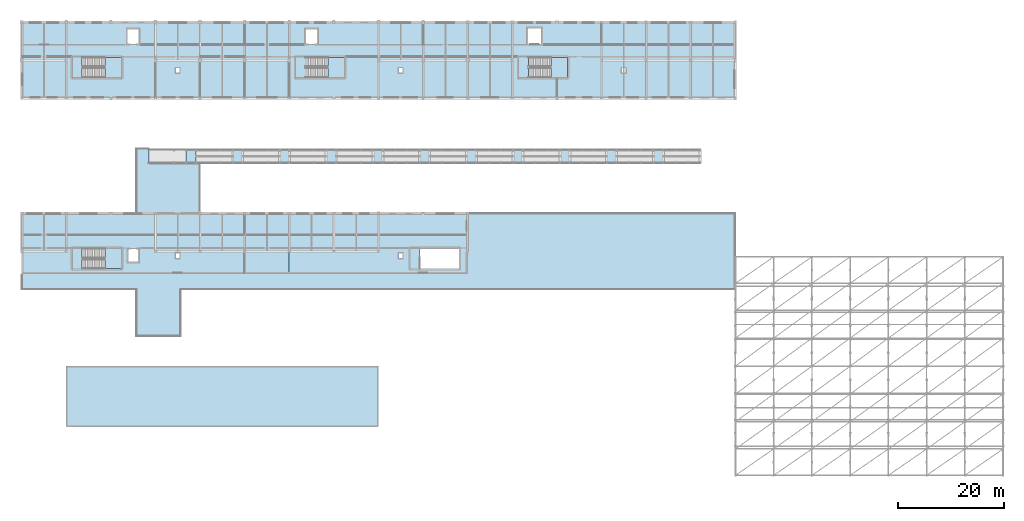
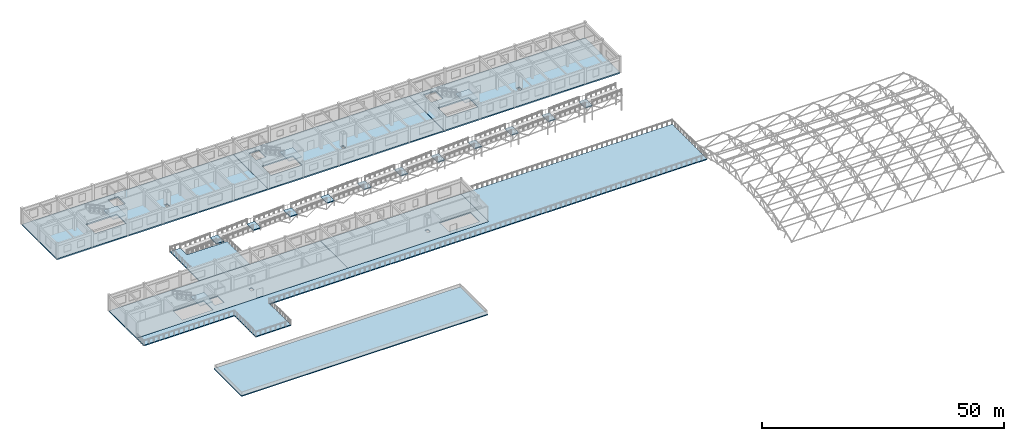
# One storey, part 24 of 41: 23 slabs, 5 elements without a shape of their own.
"""IFC4 building model written with IfcOpenShell, lengths in metres."""

from ifc_helpers import new_model, si_unit, direction, frame, origin, place, context, subcontext, project, spatial, polyline, outline, extrude, material, layer, layer_set, type_object, element, aggregate, save


model = new_model("IFC4")

# Units and contexts
model_context = context("Model", 3, precision=1e-05, world=origin(), true_north=direction((0.0, 1.0)))
body_context = subcontext(model_context, "Body", "Model", "MODEL_VIEW")
ifc_project = project(units=[si_unit("LENGTHUNIT", "METRE"), si_unit("AREAUNIT", "SQUARE_METRE"), si_unit("VOLUMEUNIT", "CUBIC_METRE"), si_unit("PLANEANGLEUNIT", "RADIAN"), si_unit("MASSUNIT", "GRAM", prefix="KILO")], contexts=[model_context])

# Site, building, storey
site_placement = place(None, origin())
site = spatial("IfcSite", under=ifc_project, at=site_placement, CompositionType="ELEMENT")
building_placement = place(site_placement, origin())
building = spatial("IfcBuilding", under=site, at=building_placement, Name="Malvenik Polytechnic", CompositionType="ELEMENT")
storey_placement = place(building_placement, frame((0.0, 0.0, 17.699951171875)))
storey = spatial("IfcBuildingStorey", under=building, at=storey_placement, Name="L04", CompositionType="ELEMENT", Elevation=17.699951171875)

# Ramp, slabs
ifc_material_1 = material(Name="Concrete C35/45", Category="concrete")
ramp_type = type_object("IfcRampType", Name="ARC-RMP-PED", PredefinedType="STRAIGHT_RUN_RAMP", material=ifc_material_1)
ramp_placement = place(storey_placement, origin())
ramp = element("IfcRamp", 1, at=ramp_placement, inside=storey, type_object=ramp_type, Name="Accessible Pedestrian Ramp RB-03", PredefinedType="STRAIGHT_RUN_RAMP")
ifc_layer_1 = layer(ifc_material_1, 0.219970703125)
ifc_layer_set_1 = layer_set([ifc_layer_1], Name="Concrete C35/45")
slab_type_1 = type_object("IfcSlabType", Name="ARC-SLB-RLND", PredefinedType="LANDING", material=ifc_layer_set_1)
slab_1_placement = place(storey_placement, frame((0.0, 0.0, 0.130126953125)))
slab_1 = element("IfcSlab", 2, at=slab_1_placement, type_object=slab_type_1, Name="Ramp Intermediate Landing RB-03 #1", PredefinedType="LANDING", context=body_context, shape_type="SweptSolid", body=[
    extrude(outline(polyline([(31.0, 103.0), (32.800048828125, 103.0), (32.800048828125, 105.60009765625), (31.0, 105.60009765625), (31.0, 103.0)])), origin(), (0.0, 0.0, 1.0), 0.219970703125),
])
slab_2_placement = place(storey_placement, frame((0.0, 0.0, 0.47998046875)))
slab_2 = element("IfcSlab", 3, at=slab_2_placement, type_object=slab_type_1, Name="Ramp Intermediate Landing RB-03 #2", PredefinedType="LANDING", context=body_context, shape_type="SweptSolid", body=[
    extrude(outline(polyline([(39.800048828125, 103.0), (41.60009765625, 103.0), (41.60009765625, 105.60009765625), (39.800048828125, 105.60009765625), (39.800048828125, 103.0)])), origin(), (0.0, 0.0, 1.0), 0.219970703125),
])
slab_3_placement = place(storey_placement, frame((0.0, 0.0, 0.830078125)))
slab_3 = element("IfcSlab", 4, at=slab_3_placement, type_object=slab_type_1, Name="Ramp Intermediate Landing RB-03 #3", PredefinedType="LANDING", context=body_context, shape_type="SweptSolid", body=[
    extrude(outline(polyline([(48.60009765625, 103.0), (50.39990234375, 103.0), (50.39990234375, 105.60009765625), (48.60009765625, 105.60009765625), (48.60009765625, 103.0)])), origin(), (0.0, 0.0, 1.0), 0.219970703125),
])
slab_4_placement = place(storey_placement, frame((0.0, 0.0, 1.179931640625)))
slab_4 = element("IfcSlab", 5, at=slab_4_placement, type_object=slab_type_1, Name="Ramp Intermediate Landing RB-03 #4", PredefinedType="LANDING", context=body_context, shape_type="SweptSolid", body=[
    extrude(outline(polyline([(57.39990234375, 103.0), (59.199951171875, 103.0), (59.199951171875, 105.60009765625), (57.39990234375, 105.60009765625), (57.39990234375, 103.0)])), origin(), (0.0, 0.0, 1.0), 0.22021484375),
])
slab_5_placement = place(storey_placement, frame((0.0, 0.0, 1.530029296875)))
slab_5 = element("IfcSlab", 6, at=slab_5_placement, type_object=slab_type_1, Name="Ramp Intermediate Landing RB-03 #5", PredefinedType="LANDING", context=body_context, shape_type="SweptSolid", body=[
    extrude(outline(polyline([(66.199951171875, 103.0), (68.0, 103.0), (68.0, 105.60009765625), (66.199951171875, 105.60009765625), (66.199951171875, 103.0)])), origin(), (0.0, 0.0, 1.0), 0.219970703125),
])
slab_6_placement = place(storey_placement, frame((0.0, 0.0, 1.880126953125)))
slab_6 = element("IfcSlab", 7, at=slab_6_placement, type_object=slab_type_1, Name="Ramp Intermediate Landing RB-03 #6", PredefinedType="LANDING", context=body_context, shape_type="SweptSolid", body=[
    extrude(outline(polyline([(75.0, 103.0), (76.800048828125, 103.0), (76.800048828125, 105.60009765625), (75.0, 105.60009765625), (75.0, 103.0)])), origin(), (0.0, 0.0, 1.0), 0.219970703125),
])
slab_7_placement = place(storey_placement, frame((0.0, 0.0, 2.22998046875)))
slab_7 = element("IfcSlab", 8, at=slab_7_placement, type_object=slab_type_1, Name="Ramp Intermediate Landing RB-03 #7", PredefinedType="LANDING", context=body_context, shape_type="SweptSolid", body=[
    extrude(outline(polyline([(83.800048828125, 103.0), (85.60009765625, 103.0), (85.60009765625, 105.60009765625), (83.800048828125, 105.60009765625), (83.800048828125, 103.0)])), origin(), (0.0, 0.0, 1.0), 0.219970703125),
])
slab_8_placement = place(storey_placement, frame((0.0, 0.0, 2.580078125)))
slab_8 = element("IfcSlab", 9, at=slab_8_placement, type_object=slab_type_1, Name="Ramp Intermediate Landing RB-03 #8", PredefinedType="LANDING", context=body_context, shape_type="SweptSolid", body=[
    extrude(outline(polyline([(92.60009765625, 103.0), (94.39990234375, 103.0), (94.39990234375, 105.60009765625), (92.60009765625, 105.60009765625), (92.60009765625, 103.0)])), origin(), (0.0, 0.0, 1.0), 0.219970703125),
])
slab_9_placement = place(storey_placement, frame((0.0, 0.0, 2.929931640625)))
slab_9 = element("IfcSlab", 10, at=slab_9_placement, type_object=slab_type_1, Name="Ramp Intermediate Landing RB-03 #9", PredefinedType="LANDING", context=body_context, shape_type="SweptSolid", body=[
    extrude(outline(polyline([(101.39990234375, 103.0), (103.199951171875, 103.0), (103.199951171875, 105.60009765625), (101.39990234375, 105.60009765625), (101.39990234375, 103.0)])), origin(), (0.0, 0.0, 1.0), 0.22021484375),
])
slab_10_placement = place(storey_placement, frame((0.0, 0.0, 3.280029296875)))
slab_10 = element("IfcSlab", 11, at=slab_10_placement, type_object=slab_type_1, Name="Ramp Intermediate Landing RB-03 #10", PredefinedType="LANDING", context=body_context, shape_type="SweptSolid", body=[
    extrude(outline(polyline([(110.199951171875, 103.0), (112.0, 103.0), (112.0, 105.60009765625), (110.199951171875, 105.60009765625), (110.199951171875, 103.0)])), origin(), (0.0, 0.0, 1.0), 0.219970703125),
])
slab_11_placement = place(storey_placement, frame((0.0, 0.0, 3.630126953125)))
slab_11 = element("IfcSlab", 12, at=slab_11_placement, type_object=slab_type_1, Name="Ramp Intermediate Landing RB-03 #11", PredefinedType="LANDING", context=body_context, shape_type="SweptSolid", body=[
    extrude(outline(polyline([(119.0, 103.0), (120.800048828125, 103.0), (120.800048828125, 105.60009765625), (119.0, 105.60009765625), (119.0, 103.0)])), origin(), (0.0, 0.0, 1.0), 0.219970703125),
])
aggregate(ramp, [slab_1, slab_2, slab_3, slab_4, slab_5, slab_6, slab_7, slab_8, slab_9, slab_10, slab_11])

# Stair, slab
stair_type_1 = type_object("IfcStairType", Name="ARC-STR-ST-01", PredefinedType="HALF_TURN_STAIR", material=ifc_material_1)
stair_1_placement = place(storey_placement, origin())
stair_1 = element("IfcStair", 13, at=stair_1_placement, inside=storey, type_object=stair_type_1, Name="L04 Escape Stair ST-01", PredefinedType="HALF_TURN_STAIR")
ifc_layer_2 = layer(ifc_material_1, 0.199951171875)
ifc_layer_set_2 = layer_set([ifc_layer_2], Name="Concrete C35/45")
slab_type_2 = type_object("IfcSlabType", Name="ARC-SLB-STLND", PredefinedType="LANDING", material=ifc_layer_set_2)
slab_12_placement = place(storey_placement, frame((0.0, 0.0, 1.900146484375)))
slab_12 = element("IfcSlab", 14, at=slab_12_placement, type_object=slab_type_2, Name="ST-01 landing 1", PredefinedType="LANDING", context=body_context, shape_type="SweptSolid", body=[
    extrude(outline(polyline([(15.68994140625, 119.14990234375), (18.800048828125, 119.14990234375), (18.800048828125, 122.949951171875), (15.68994140625, 122.949951171875), (15.68994140625, 119.14990234375)])), origin(), (0.0, 0.0, 1.0), 0.199951171875),
])
aggregate(stair_1, [slab_12])

stair_type_2 = type_object("IfcStairType", Name="ARC-STR-ST-02", PredefinedType="HALF_TURN_STAIR", material=ifc_material_1)
stair_2_placement = place(storey_placement, origin())
stair_2 = element("IfcStair", 15, at=stair_2_placement, inside=storey, type_object=stair_type_2, Name="L04 Escape Stair ST-02", PredefinedType="HALF_TURN_STAIR")
slab_13_placement = place(storey_placement, frame((0.0, 0.0, 1.900146484375)))
slab_13 = element("IfcSlab", 16, at=slab_13_placement, type_object=slab_type_2, Name="ST-02 landing 1", PredefinedType="LANDING", context=body_context, shape_type="SweptSolid", body=[
    extrude(outline(polyline([(57.68994140625, 119.14990234375), (60.800048828125, 119.14990234375), (60.800048828125, 122.949951171875), (57.68994140625, 122.949951171875), (57.68994140625, 119.14990234375)])), origin(), (0.0, 0.0, 1.0), 0.199951171875),
])
aggregate(stair_2, [slab_13])

stair_type_3 = type_object("IfcStairType", Name="ARC-STR-ST-03", PredefinedType="HALF_TURN_STAIR", material=ifc_material_1)
stair_3_placement = place(storey_placement, origin())
stair_3 = element("IfcStair", 17, at=stair_3_placement, inside=storey, type_object=stair_type_3, Name="L04 Escape Stair ST-03", PredefinedType="HALF_TURN_STAIR")
slab_14_placement = place(storey_placement, frame((0.0, 0.0, 1.900146484375)))
slab_14 = element("IfcSlab", 18, at=slab_14_placement, type_object=slab_type_2, Name="ST-03 landing 1", PredefinedType="LANDING", context=body_context, shape_type="SweptSolid", body=[
    extrude(outline(polyline([(99.68994140625, 119.14990234375), (102.800048828125, 119.14990234375), (102.800048828125, 122.949951171875), (99.68994140625, 122.949951171875), (99.68994140625, 119.14990234375)])), origin(), (0.0, 0.0, 1.0), 0.199951171875),
])
aggregate(stair_3, [slab_14])

stair_type_4 = type_object("IfcStairType", Name="ARC-STR-ST-04", PredefinedType="HALF_TURN_STAIR", material=ifc_material_1)
stair_4_placement = place(storey_placement, origin())
stair_4 = element("IfcStair", 19, at=stair_4_placement, inside=storey, type_object=stair_type_4, Name="L04 Escape Stair ST-04", PredefinedType="HALF_TURN_STAIR")
slab_15_placement = place(storey_placement, frame((0.0, 0.0, 1.900146484375)))
slab_15 = element("IfcSlab", 20, at=slab_15_placement, type_object=slab_type_2, Name="ST-04 landing 1", PredefinedType="LANDING", context=body_context, shape_type="SweptSolid", body=[
    extrude(outline(polyline([(15.68994140625, 83.14990234375), (18.800048828125, 83.14990234375), (18.800048828125, 86.949951171875), (15.68994140625, 86.949951171875), (15.68994140625, 83.14990234375)])), origin(), (0.0, 0.0, 1.0), 0.199951171875),
])
aggregate(stair_4, [slab_15])

# Slabs
ifc_layer_3 = layer(ifc_material_1, 0.260009765625)
ifc_layer_set_3 = layer_set([ifc_layer_3], Name="Concrete C35/45")
slab_type_3 = type_object("IfcSlabType", Name="STR-SLB-FLR-260", PredefinedType="FLOOR", material=ifc_layer_set_3)
slab_16_placement = place(storey_placement, frame((0.0, 0.0, -0.260009765625)))
element("IfcSlab", 21, at=slab_16_placement, inside=storey, type_object=slab_type_3, Name="Structural Slab L04-V2-W #93", PredefinedType="FLOOR", context=body_context, shape_type="SweptSolid", body=[
    extrude(outline(polyline([(50.3798828125, 93.60009765625), (50.3798828125, 82.199951171875), (0.0, 82.199951171875), (0.0, 93.60009765625), (50.3798828125, 93.60009765625)]), holes=[polyline([(11.41796875, 86.949951171875), (11.41796875, 83.14990234375), (18.800048828125, 83.14990234375), (18.800048828125, 86.949951171875), (11.41796875, 86.949951171875)]), polyline([(29.0, 86.050048828125), (29.0, 85.10009765625), (29.75, 85.10009765625), (29.75, 86.050048828125), (29.0, 86.050048828125)]), polyline([(19.89990234375, 86.949951171875), (19.89990234375, 84.35009765625), (22.10009765625, 84.35009765625), (22.10009765625, 86.949951171875), (19.89990234375, 86.949951171875)])]), origin(), (0.0, 0.0, 1.0), 0.260009765625),
])
slab_17_placement = place(storey_placement, frame((0.0, 0.0, -0.260009765625)))
element("IfcSlab", 22, at=slab_17_placement, inside=storey, type_object=slab_type_3, Name="Structural Slab L04-V2-W #94", PredefinedType="FLOOR", context=body_context, shape_type="SweptSolid", body=[
    extrude(outline(polyline([(84.0, 93.60009765625), (84.0, 82.199951171875), (50.419921875, 82.199951171875), (50.419921875, 93.60009765625), (84.0, 93.60009765625)]), holes=[polyline([(75.01806640625, 86.949951171875), (75.01806640625, 83.14990234375), (82.39990234375, 83.14990234375), (82.39990234375, 86.949951171875), (75.01806640625, 86.949951171875)]), polyline([(71.0, 86.050048828125), (71.0, 85.10009765625), (71.75, 85.10009765625), (71.75, 86.050048828125), (71.0, 86.050048828125)])]), origin(), (0.0, 0.0, 1.0), 0.260009765625),
])
ifc_material_2 = material(Name="Concrete C40/50", Category="concrete")
ifc_layer_4 = layer(ifc_material_2, 0.320068359375)
ifc_layer_set_4 = layer_set([ifc_layer_4], Name="Concrete C40/50")
slab_type_4 = type_object("IfcSlabType", Name="STR-SLB-LIB-320", PredefinedType="FLOOR", material=ifc_layer_set_4)
slab_18_placement = place(storey_placement, frame((0.0, 0.0, -0.320068359375)))
element("IfcSlab", 23, at=slab_18_placement, inside=storey, type_object=slab_type_4, Name="Structural Slab L04-V1 #90", PredefinedType="FLOOR", context=body_context, shape_type="SweptSolid", body=[
    extrude(outline(polyline([(0.0, 129.60009765625), (50.3798828125, 129.60009765625), (50.3798828125, 115.199951171875), (0.0, 115.199951171875), (0.0, 129.60009765625)]), holes=[polyline([(29.0, 120.949951171875), (29.0, 120.0), (29.75, 120.0), (29.75, 120.949951171875), (29.0, 120.949951171875)]), polyline([(18.800048828125, 122.949951171875), (11.41796875, 122.949951171875), (11.41796875, 119.14990234375), (18.800048828125, 119.14990234375), (18.800048828125, 122.949951171875)]), polyline([(19.800048828125, 128.35009765625), (19.800048828125, 125.35009765625), (22.199951171875, 125.35009765625), (22.199951171875, 128.35009765625), (19.800048828125, 128.35009765625)])]), origin(), (0.0, 0.0, 1.0), 0.320068359375),
])
slab_19_placement = place(storey_placement, frame((0.0, 0.0, -0.320068359375)))
element("IfcSlab", 24, at=slab_19_placement, inside=storey, type_object=slab_type_4, Name="Structural Slab L04-V1 #91", PredefinedType="FLOOR", context=body_context, shape_type="SweptSolid", body=[
    extrude(outline(polyline([(92.3798828125, 129.60009765625), (92.3798828125, 115.199951171875), (50.419921875, 115.199951171875), (50.419921875, 129.60009765625), (92.3798828125, 129.60009765625)]), holes=[polyline([(53.39990234375, 128.35009765625), (53.39990234375, 125.35009765625), (55.800048828125, 125.35009765625), (55.800048828125, 128.35009765625), (53.39990234375, 128.35009765625)]), polyline([(71.0, 120.949951171875), (71.0, 120.0), (71.75, 120.0), (71.75, 120.949951171875), (71.0, 120.949951171875)]), polyline([(60.800048828125, 122.949951171875), (53.41796875, 122.949951171875), (53.41796875, 119.14990234375), (60.800048828125, 119.14990234375), (60.800048828125, 122.949951171875)])]), origin(), (0.0, 0.0, 1.0), 0.320068359375),
])
slab_20_placement = place(storey_placement, frame((0.0, 0.0, -0.320068359375)))
element("IfcSlab", 25, at=slab_20_placement, inside=storey, type_object=slab_type_4, Name="Structural Slab L04-V1 #92", PredefinedType="FLOOR", context=body_context, shape_type="SweptSolid", body=[
    extrude(outline(polyline([(134.3798828125, 129.60009765625), (134.3798828125, 115.199951171875), (92.419921875, 115.199951171875), (92.419921875, 129.60009765625), (134.3798828125, 129.60009765625)]), holes=[polyline([(113.0, 120.949951171875), (113.0, 120.0), (113.75, 120.0), (113.75, 120.949951171875), (113.0, 120.949951171875)]), polyline([(102.800048828125, 122.949951171875), (95.41796875, 122.949951171875), (95.41796875, 119.14990234375), (102.800048828125, 119.14990234375), (102.800048828125, 122.949951171875)]), polyline([(95.199951171875, 128.550048828125), (95.199951171875, 125.35009765625), (98.0, 125.35009765625), (98.0, 128.550048828125), (95.199951171875, 128.550048828125)])]), origin(), (0.0, 0.0, 1.0), 0.320068359375),
])
ifc_layer_5 = layer(ifc_material_1, 0.25)
ifc_layer_set_5 = layer_set([ifc_layer_5], Name="Concrete C35/45")
slab_type_5 = type_object("IfcSlabType", Name="STR-SLB-TER-250", PredefinedType="FLOOR", material=ifc_layer_set_5)
slab_21_placement = place(storey_placement, frame((0.0, 0.0, -0.25)))
element("IfcSlab", 26, at=slab_21_placement, inside=storey, type_object=slab_type_5, Name="Exterior Terrace Slab L04 #95", PredefinedType="FLOOR", context=body_context, shape_type="SweptSolid", body=[
    extrude(outline(polyline([(84.0, 82.199951171875), (84.0, 82.219970703125), (84.0, 93.599609375), (84.0, 93.60009765625), (84.00048828125, 93.60009765625), (134.3798828125, 93.60009765625), (134.3798828125, 79.199951171875), (30.02001953125, 79.199951171875), (30.01806640625, 79.199951171875), (30.01611328125, 79.19970703125), (30.01416015625, 79.19921875), (30.01220703125, 79.198486328125), (30.010498046875, 79.197509765625), (30.0087890625, 79.196533203125), (30.00732421875, 79.195556640625), (30.005859375, 79.194091796875), (30.00439453125, 79.192626953125), (30.00341796875, 79.191162109375), (30.00244140625, 79.189453125), (30.00146484375, 79.187744140625), (30.0009765625, 79.185791015625), (30.00048828125, 79.183837890625), (30.0, 79.181884765625), (30.0, 79.179931640625), (30.0, 70.400390625), (30.0, 70.39990234375), (29.99951171875, 70.39990234375), (21.6005859375, 70.39990234375), (21.60009765625, 70.39990234375), (21.60009765625, 70.400390625), (21.60009765625, 79.179931640625), (21.599853515625, 79.181884765625), (21.599609375, 79.183837890625), (21.59912109375, 79.185791015625), (21.598388671875, 79.187744140625), (21.59765625, 79.189453125), (21.5966796875, 79.191162109375), (21.595458984375, 79.192626953125), (21.593994140625, 79.194091796875), (21.5927734375, 79.195556640625), (21.591064453125, 79.196533203125), (21.58935546875, 79.197509765625), (21.587646484375, 79.198486328125), (21.585693359375, 79.19921875), (21.583984375, 79.19970703125), (21.58203125, 79.199951171875), (21.580078125, 79.199951171875), (0.00048828125, 79.199951171875), (0.0, 79.199951171875), (0.0, 79.200439453125), (0.0, 82.199462890625), (0.0, 82.199951171875), (0.00048828125, 82.199951171875), (83.97998046875, 82.199951171875), (84.0, 82.199951171875)])), origin(), (0.0, 0.0, 1.0), 0.25),
])
slab_22_placement = place(storey_placement, frame((0.0, 0.0, -0.25)))
element("IfcSlab", 27, at=slab_22_placement, inside=storey, type_object=slab_type_5, Name="Exterior Terrace Slab L04 #96", PredefinedType="FLOOR", context=body_context, shape_type="SweptSolid", body=[
    extrude(outline(polyline([(67.199462890625, 64.800048828125), (67.199951171875, 64.800048828125), (67.199951171875, 64.799560546875), (67.199951171875, 53.400390625), (67.199951171875, 53.39990234375), (67.199462890625, 53.39990234375), (8.400390625, 53.39990234375), (8.39990234375, 53.39990234375), (8.39990234375, 53.400390625), (8.39990234375, 64.799560546875), (8.39990234375, 64.800048828125), (8.400390625, 64.800048828125), (67.199462890625, 64.800048828125)])), origin(), (0.0, 0.0, 1.0), 0.25),
])
slab_23_placement = place(storey_placement, frame((0.0, 0.0, -0.25)))
element("IfcSlab", 28, at=slab_23_placement, inside=storey, type_object=slab_type_5, Name="Exterior Terrace Slab L04 #97", PredefinedType="FLOOR", context=body_context, shape_type="SweptSolid", body=[
    extrude(outline(polyline([(21.60009765625, 105.800048828125), (21.6005859375, 105.800048828125), (24.01953125, 105.800048828125), (24.02001953125, 105.800048828125), (24.02001953125, 105.799560546875), (24.02001953125, 103.02001953125), (24.02001953125, 103.01806640625), (24.0205078125, 103.01611328125), (24.02099609375, 103.01416015625), (24.021484375, 103.01220703125), (24.0224609375, 103.010498046875), (24.0234375, 103.0087890625), (24.0244140625, 103.00732421875), (24.02587890625, 103.005859375), (24.02734375, 103.00439453125), (24.02880859375, 103.00341796875), (24.030517578125, 103.00244140625), (24.0322265625, 103.00146484375), (24.0341796875, 103.0009765625), (24.0361328125, 103.00048828125), (24.0380859375, 103.0), (24.0400390625, 103.0), (33.599609375, 103.0), (33.60009765625, 103.0), (33.60009765625, 102.99951171875), (33.60009765625, 93.6005859375), (33.60009765625, 93.60009765625), (33.599609375, 93.60009765625), (21.6005859375, 93.60009765625), (21.60009765625, 93.60009765625), (21.60009765625, 93.6005859375), (21.60009765625, 105.799560546875), (21.60009765625, 105.800048828125)])), origin(), (0.0, 0.0, 1.0), 0.25),
])

save(model, "model.ifc")
